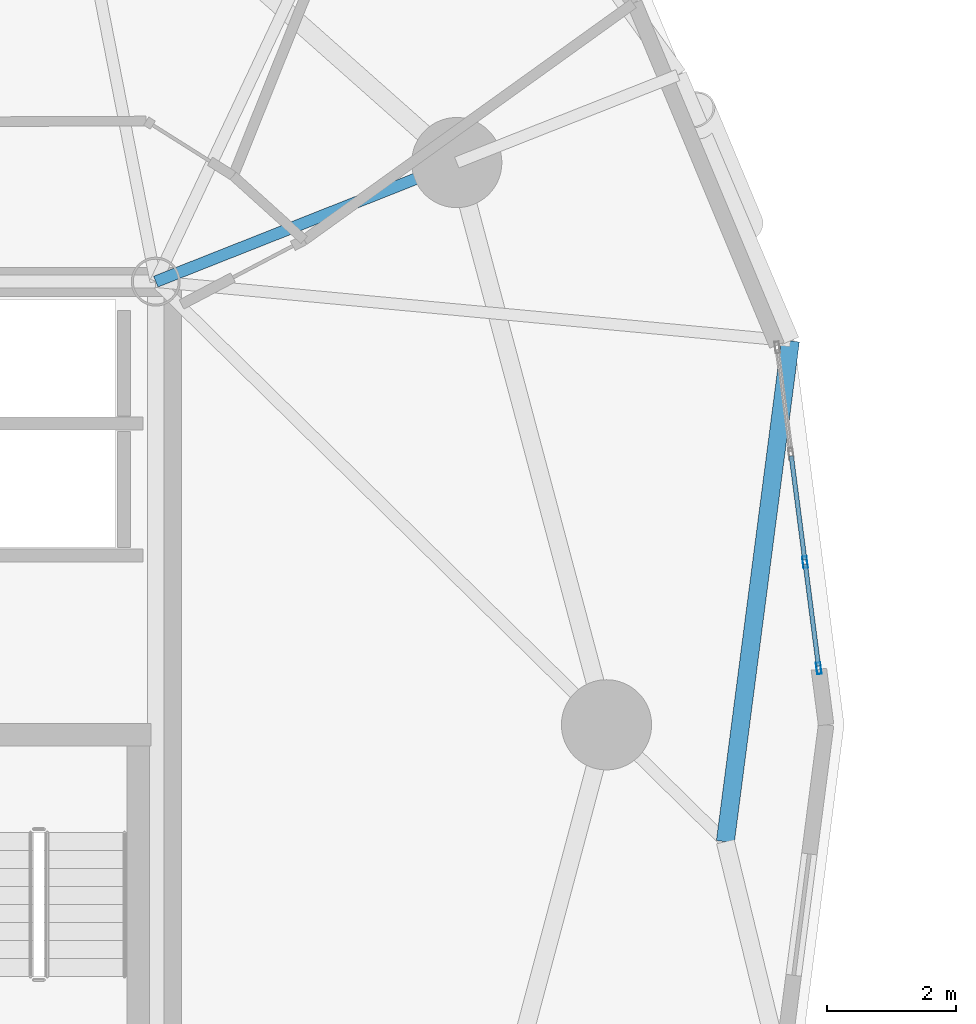
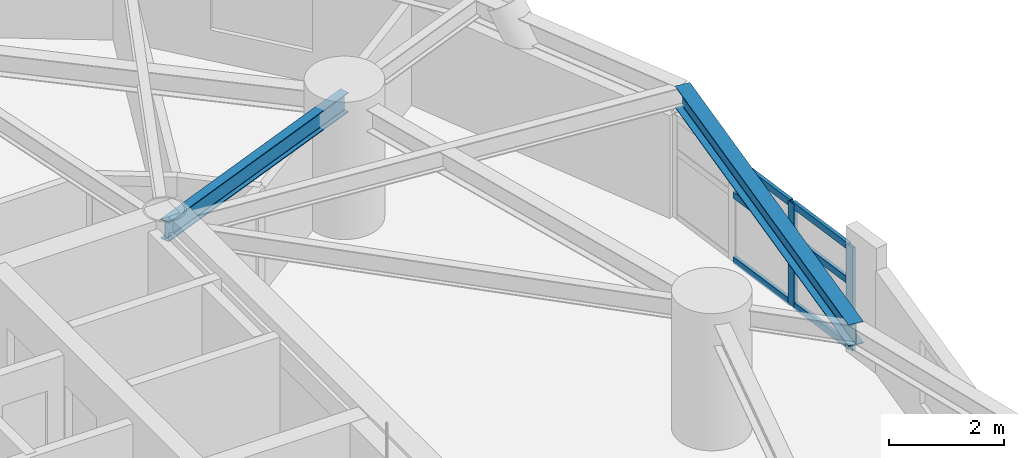
# One storey, part 2 of 17: 8 members, 2 beams, 1 element without a shape of its own.
"""IFC4 building model written with IfcOpenShell, lengths in metres."""

from ifc_helpers import new_model, si_unit, direction, frame, origin, origin_2d, place, context, subcontext, project, spatial, hollow_rectangle, i_section, extrude, material, layer, layer_set, material_profile, profile_set, type_object, element, aggregate, save


model = new_model("IFC4")

# Units and contexts
model_context = context("Model", 3, precision=1e-05, world=origin(), true_north=direction((0.0, 1.0)))
body_context = subcontext(model_context, "Body", "Model", "MODEL_VIEW")
ifc_project = project(units=[si_unit("LENGTHUNIT", "METRE"), si_unit("AREAUNIT", "SQUARE_METRE"), si_unit("VOLUMEUNIT", "CUBIC_METRE"), si_unit("PLANEANGLEUNIT", "RADIAN"), si_unit("MASSUNIT", "GRAM", prefix="KILO")], contexts=[model_context])

# Site, building, storey
site_placement = place(None, origin())
site = spatial("IfcSite", under=ifc_project, at=site_placement, CompositionType="ELEMENT")
building_placement = place(site_placement, origin())
building = spatial("IfcBuilding", under=site, at=building_placement, Name="Cununo Teusaquillo Station Towers", CompositionType="ELEMENT")
storey_placement = place(building_placement, frame((0.0, 0.0, 113.800048828125)))
storey = spatial("IfcBuildingStorey", under=building, at=storey_placement, Name="L36", CompositionType="ELEMENT", Elevation=113.800048828125)

# Beams
ifc_material_1 = material(Name="Steel ASTM A572 Grade 50", Category="steel")
ifc_material_profile_1 = material_profile(ifc_material_1, i_section(OverallWidth=0.180908203125, OverallDepth=0.4169921875, WebThickness=0.010986328125, FlangeThickness=0.018310546875, FilletRadius=0.012939453125, at=origin_2d()), Name="W16X57")
ifc_profile_set_1 = profile_set([ifc_material_profile_1], Name="Steel ASTM A572 Grade 50")
beam_type_1 = type_object("IfcBeamType", Name="BM-RAD-G2", PredefinedType="BEAM", material=ifc_profile_set_1)
beam_1_placement = place(storey_placement, frame((21.675048828125, 31.3798828125, 2.46142578125), z_axis=(0.929864104313, 0.367903176814, 0.0), x_axis=(-0.367903176814, 0.929864104313, 0.0)))
element("IfcBeam", 1, at=beam_1_placement, inside=storey, type_object=beam_type_1, Name="L36 Tower A Radial Girder 02A", PredefinedType="BEAM", context=body_context, shape_type="SweptSolid", body=[
    extrude(i_section(OverallWidth=0.180908203125, OverallDepth=0.4169921875, WebThickness=0.010986328125, FlangeThickness=0.018310546875, FilletRadius=0.012939453125, at=origin_2d()), origin(), (0.0, 0.0, 1.0), 5.02490234375),
])
ifc_material_2 = material(Name="Steel ASTM A572 Grade 50", Category="steel")
ifc_material_profile_2 = material_profile(ifc_material_2, i_section(OverallWidth=0.280029296875, OverallDepth=0.462890625, WebThickness=0.0107421875, FlangeThickness=0.017333984375, FilletRadius=0.013916015625, at=origin_2d()), Name="W18X76")
ifc_profile_set_2 = profile_set([ifc_material_profile_2], Name="Steel ASTM A572 Grade 50")
beam_type_2 = type_object("IfcBeamType", Name="BM-RING-Z2", PredefinedType="SPANDREL", material=ifc_profile_set_2)
beam_2_placement = place(storey_placement, frame((30.51708984375, 22.685791015625, 2.4384765625), z_axis=(0.12888124113, 0.991660035337, 0.0), x_axis=(-0.991660035337, 0.12888124113, 0.0)))
element("IfcBeam", 2, at=beam_2_placement, inside=storey, type_object=beam_type_2, Name="L36 Tower A Spandrel Ring Beam 01", PredefinedType="SPANDREL", context=body_context, shape_type="SweptSolid", body=[
    extrude(i_section(OverallWidth=0.280029296875, OverallDepth=0.462890625, WebThickness=0.0107421875, FlangeThickness=0.017333984375, FilletRadius=0.013916015625, at=origin_2d()), origin(), (0.0, 0.0, 1.0), 7.840576171875),
])

# Curtain wall, members
ifc_material_3 = material(Name="Ceramic-fritted dark low-E double glazing", Category="glass")
ifc_layer = layer(ifc_material_3, 0.179931640625)
ifc_layer_set = layer_set([ifc_layer], Name="Ceramic-fritted dark low-E double glazing")
curtain_wall_type = type_object("IfcCurtainWallType", Name="CW-SYS-04", PredefinedType="USERDEFINED", material=ifc_layer_set)
curtain_wall_placement = place(storey_placement, origin())
curtain_wall = element("IfcCurtainWall", 3, at=curtain_wall_placement, inside=storey, type_object=curtain_wall_type, Name="L36 Tower A Facade Curtain Wall C00", ObjectType="FRITTED GLAZING", PredefinedType="USERDEFINED")
ifc_material_4 = material(Name="Anodised dark bronze aluminium EN AW-6063-T6", Category="aluminium")
ifc_material_profile_3 = material_profile(ifc_material_4, hollow_rectangle(XDim=0.070068359375, YDim=0.179931640625, WallThickness=0.00390625, at=origin_2d()), Name="CW-MULL-70x180")
ifc_profile_set_3 = profile_set([ifc_material_profile_3], Name="Anodised dark bronze aluminium EN AW-6063-T6")
member_type_1 = type_object("IfcMemberType", Name="CWM-180", PredefinedType="MULLION", material=ifc_profile_set_3)
member_1_placement = place(storey_placement, frame((31.754150390625, 27.0263671875, 0.0), z_axis=(0.0, 0.0, 1.0), x_axis=(0.991730764367, 0.128335852387, 0.0)))
member_1 = element("IfcMember", 4, at=member_1_placement, type_object=member_type_1, Name="CW-04 mullion 3", PredefinedType="MULLION", context=body_context, shape_type="SweptSolid", body=[
    extrude(hollow_rectangle(XDim=0.070068359375, YDim=0.179931640625, WallThickness=0.00390625, at=origin_2d()), origin(), (0.0, 0.0, 1.0), 2.178955078125),
])
member_2_placement = place(storey_placement, frame((31.967529296875, 25.377685546875, 0.0), z_axis=(0.0, 0.0, 1.0), x_axis=(0.991730764367, 0.128335852387, 0.0)))
member_2 = element("IfcMember", 5, at=member_2_placement, type_object=member_type_1, Name="CW-04 mullion 4", PredefinedType="MULLION", context=body_context, shape_type="SweptSolid", body=[
    extrude(hollow_rectangle(XDim=0.070068359375, YDim=0.179931640625, WallThickness=0.00390625, at=origin_2d()), origin(), (0.0, 0.0, 1.0), 2.178955078125),
])
ifc_material_5 = material(Name="Anodised dark bronze aluminium EN AW-6063-T6", Category="aluminium")
ifc_material_profile_4 = material_profile(ifc_material_5, hollow_rectangle(XDim=0.070068359375, YDim=0.139892578125, WallThickness=0.00390625, at=origin_2d()), Name="CW-TRAN-70x140")
ifc_profile_set_4 = profile_set([ifc_material_profile_4], Name="Anodised dark bronze aluminium EN AW-6063-T6")
member_type_2 = type_object("IfcMemberType", Name="CWT-140", PredefinedType="USERDEFINED", material=ifc_profile_set_4)
member_3_placement = place(storey_placement, frame((31.540771484375, 28.675048828125, 0.034912109375), z_axis=(0.128261686134, -0.991740359101, 0.0), x_axis=(0.991740359101, 0.128261686134, 0.0)))
member_3 = element("IfcMember", 6, at=member_3_placement, type_object=member_type_2, Name="CW-04 transom 2.1", ObjectType="TRANSOM", PredefinedType="USERDEFINED", context=body_context, shape_type="SweptSolid", body=[
    extrude(hollow_rectangle(XDim=0.070068359375, YDim=0.139892578125, WallThickness=0.00390625, at=origin_2d()), origin(), (0.0, 0.0, 1.0), 1.62744140625),
])
member_4_placement = place(storey_placement, frame((31.540771484375, 28.675048828125, 1.416015625), z_axis=(0.128261686134, -0.991740359101, 0.0), x_axis=(0.991740359101, 0.128261686134, 0.0)))
member_4 = element("IfcMember", 7, at=member_4_placement, type_object=member_type_2, Name="CW-04 transom 2.2", ObjectType="TRANSOM", PredefinedType="USERDEFINED", context=body_context, shape_type="SweptSolid", body=[
    extrude(hollow_rectangle(XDim=0.070068359375, YDim=0.139892578125, WallThickness=0.00390625, at=origin_2d()), origin(), (0.0, 0.0, 1.0), 1.62744140625),
])
member_5_placement = place(storey_placement, frame((31.540771484375, 28.675048828125, 2.14404296875), z_axis=(0.128261686134, -0.991740359101, 0.0), x_axis=(0.991740359101, 0.128261686134, 0.0)))
member_5 = element("IfcMember", 8, at=member_5_placement, type_object=member_type_2, Name="CW-04 transom 2.3", ObjectType="TRANSOM", PredefinedType="USERDEFINED", context=body_context, shape_type="SweptSolid", body=[
    extrude(hollow_rectangle(XDim=0.070068359375, YDim=0.139892578125, WallThickness=0.00390625, at=origin_2d()), origin(), (0.0, 0.0, 1.0), 1.62744140625),
])
member_6_placement = place(storey_placement, frame((31.758544921875, 26.99169921875, 0.034912109375), z_axis=(0.128316698748, -0.991733242774, 0.0), x_axis=(0.991733242774, 0.128316698748, 0.0)))
member_6 = element("IfcMember", 9, at=member_6_placement, type_object=member_type_2, Name="CW-04 transom 3.1", ObjectType="TRANSOM", PredefinedType="USERDEFINED", context=body_context, shape_type="SweptSolid", body=[
    extrude(hollow_rectangle(XDim=0.070068359375, YDim=0.139892578125, WallThickness=0.00390625, at=origin_2d()), origin(), (0.0, 0.0, 1.0), 1.592529296875),
])
member_7_placement = place(storey_placement, frame((31.758544921875, 26.99169921875, 1.416015625), z_axis=(0.128316698748, -0.991733242774, 0.0), x_axis=(0.991733242774, 0.128316698748, 0.0)))
member_7 = element("IfcMember", 10, at=member_7_placement, type_object=member_type_2, Name="CW-04 transom 3.2", ObjectType="TRANSOM", PredefinedType="USERDEFINED", context=body_context, shape_type="SweptSolid", body=[
    extrude(hollow_rectangle(XDim=0.070068359375, YDim=0.139892578125, WallThickness=0.00390625, at=origin_2d()), origin(), (0.0, 0.0, 1.0), 1.592529296875),
])
member_8_placement = place(storey_placement, frame((31.758544921875, 26.99169921875, 2.14404296875), z_axis=(0.128316698748, -0.991733242774, 0.0), x_axis=(0.991733242774, 0.128316698748, 0.0)))
member_8 = element("IfcMember", 11, at=member_8_placement, type_object=member_type_2, Name="CW-04 transom 3.3", ObjectType="TRANSOM", PredefinedType="USERDEFINED", context=body_context, shape_type="SweptSolid", body=[
    extrude(hollow_rectangle(XDim=0.070068359375, YDim=0.139892578125, WallThickness=0.00390625, at=origin_2d()), origin(), (0.0, 0.0, 1.0), 1.592529296875),
])
aggregate(curtain_wall, [member_1, member_2, member_3, member_4, member_5, member_6, member_7, member_8])

save(model, "model.ifc")
